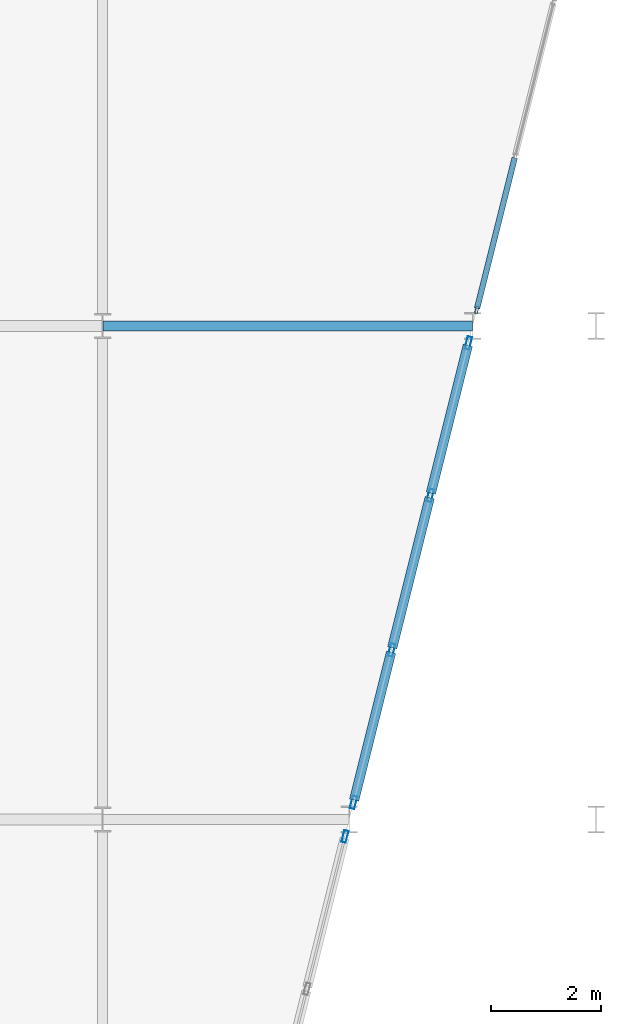
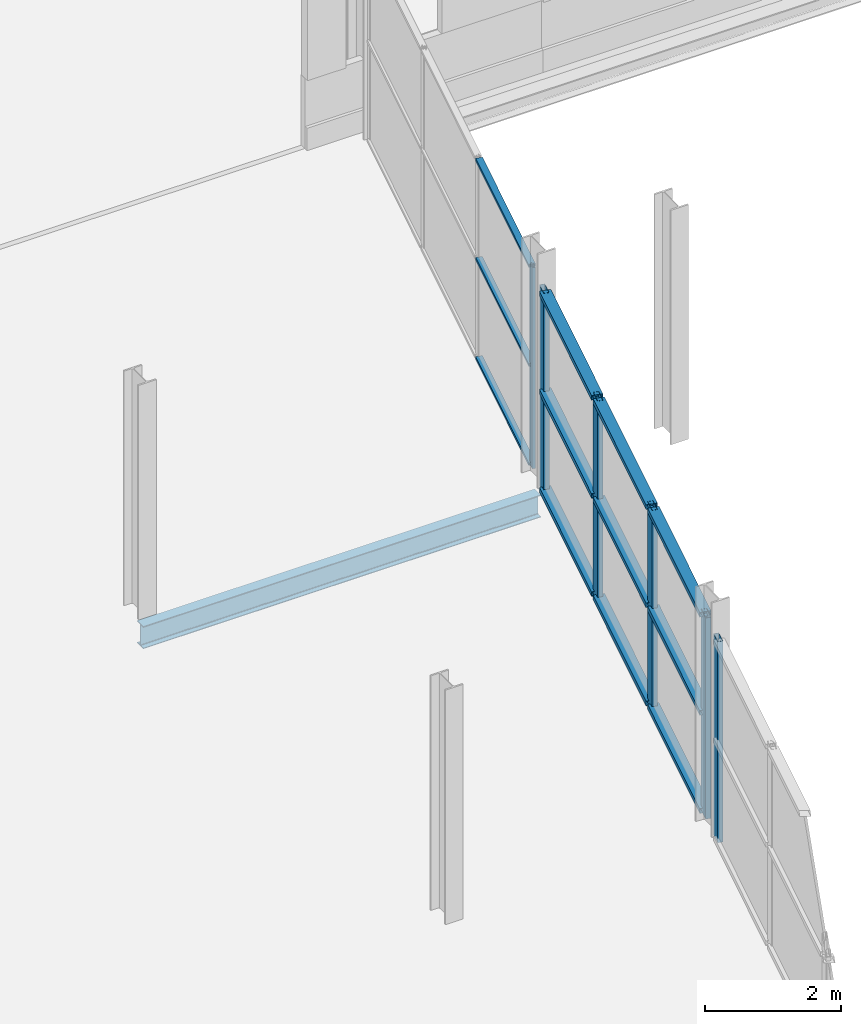
# One storey, part 69 of 132: 18 members, 1 beam, 3 elements without a shape of their own.
"""IFC4 building model written with IfcOpenShell, lengths in metres."""

import ifcopenshell
import ifcopenshell.guid

model = None  # the IFC model being written
_history = None  # IfcOwnerHistory: only IFC2X3 demands one
_inside = {}  # id of a spatial element -> (the spatial element, [elements in it])
_under = {}  # id of a project, library or spatial element -> (it, [spatial elements below it])
_declared = {}  # id of a project -> (the project, [libraries it declares])
_typed = {}  # id of a type object -> (the type object, [elements of that type])
_made_of = {}  # id of a material, layer set ... -> (it, [elements and type objects made of it])


def new_model(schema):
    """Start an empty IFC model of exactly this schema.

    Asked for "IFC4X3", IfcOpenShell would pick the latest addendum, in which some entities
    have other attributes; the version numbers below select the first issue.
    IFC2X3 requires an IfcOwnerHistory on every rooted entity: one is made here for all.
    """
    global model, _history
    if schema == "IFC4X3":
        model = ifcopenshell.file(schema_version=(4, 3, 0, 0))
    else:
        model = ifcopenshell.file(schema=schema)
    _inside.clear()
    _under.clear()
    _declared.clear()
    _typed.clear()
    _made_of.clear()
    _history = None
    if model.schema == "IFC2X3":
        org = make("IfcOrganization", Name="unknown")
        user = make(
            "IfcPersonAndOrganization",
            ThePerson=make("IfcPerson", FamilyName="unknown"),
            TheOrganization=org,
        )
        app = make(
            "IfcApplication",
            ApplicationDeveloper=org,
            Version="unknown",
            ApplicationFullName="unknown",
            ApplicationIdentifier="unknown",
        )
        _history = make(
            "IfcOwnerHistory",
            OwningUser=user,
            OwningApplication=app,
            ChangeAction="ADDED",
            CreationDate=0,
        )
    return model


def make(cls, **values):
    """One entity of the class cls with the attributes given. An attribute that is None is left unset."""
    return model.create_entity(
        cls, **{name: value for name, value in values.items() if value is not None}
    )


def rooted(cls, **values):
    """An entity with a GlobalId (a new one), such as an element, a storey or a relation."""
    return make(cls, GlobalId=ifcopenshell.guid.new(), OwnerHistory=_history, **values)


def si_unit(unit_type, name, prefix=None):
    """IfcSIUnit, for example si_unit("LENGTHUNIT", "METRE", prefix="MILLI")."""
    return make("IfcSIUnit", UnitType=unit_type, Prefix=prefix, Name=name)


def assignment(units):
    """IfcUnitAssignment: the units of a project."""
    return None if units is None else make("IfcUnitAssignment", Units=units)


def point(xyz):
    """IfcCartesianPoint."""
    return None if xyz is None else make("IfcCartesianPoint", Coordinates=xyz)


def direction(xyz):
    """IfcDirection."""
    return None if xyz is None else make("IfcDirection", DirectionRatios=xyz)


def frame(location, z_axis=None, x_axis=None):
    """IfcAxis2Placement3D, a coordinate frame: its origin and axes. An axis left out is left unset."""
    return make(
        "IfcAxis2Placement3D",
        Location=point(location),
        Axis=direction(z_axis),
        RefDirection=direction(x_axis),
    )


def frame_2d(location, x_axis=None):
    """IfcAxis2Placement2D, a coordinate frame in the plane: its origin and x axis."""
    return make(
        "IfcAxis2Placement2D", Location=point(location), RefDirection=direction(x_axis)
    )


def origin():
    """The frame at (0, 0, 0) with its axes left unset."""
    return frame((0.0, 0.0, 0.0))


def origin_2d():
    """The frame at (0, 0) in the plane with its x axis left unset."""
    return frame_2d((0.0, 0.0))


def place(relative_to, where):
    """IfcLocalPlacement: puts the frame where relative to a parent placement (None: the world)."""
    return make(
        "IfcLocalPlacement", PlacementRelTo=relative_to, RelativePlacement=where
    )


def context(
    kind, dimensions, precision=None, world=None, true_north=None, identifier=None
):
    """IfcGeometricRepresentationContext, for example the 3D "Model" context."""
    return make(
        "IfcGeometricRepresentationContext",
        ContextIdentifier=identifier,
        ContextType=kind,
        CoordinateSpaceDimension=dimensions,
        Precision=precision,
        WorldCoordinateSystem=world,
        TrueNorth=true_north,
    )


def subcontext(parent, identifier, kind, view, scale=None):
    """IfcGeometricRepresentationSubContext, for example "Body" below "Model"."""
    return make(
        "IfcGeometricRepresentationSubContext",
        ContextIdentifier=identifier,
        ContextType=kind,
        ParentContext=parent,
        TargetScale=scale,
        TargetView=view,
    )


def project(units=None, contexts=None):
    """IfcProject with its units and contexts."""
    return rooted(
        "IfcProject",
        Name="project",
        RepresentationContexts=contexts,
        UnitsInContext=assignment(units),
    )


def spatial(cls, under=None, at=None, **own):
    """A site, building, storey or space (cls), placed at a placement, below another one or the project."""
    s = rooted(cls, ObjectPlacement=at, **own)
    if under is not None:
        _under.setdefault(under.id(), (under, []))[1].append(s)
    return s


def profile(cls, at=None, kind="AREA", **sizes):
    """A parametric profile (cls). Its sizes go by their IFC names, for example OverallWidth=200.0."""
    return make(cls, ProfileType=kind, Position=at, **sizes)


def hollow_rectangle(**sizes):
    """IfcRectangleHollowProfileDef."""
    return profile("IfcRectangleHollowProfileDef", **sizes)


def i_section(**sizes):
    """IfcIShapeProfileDef."""
    return profile("IfcIShapeProfileDef", **sizes)


def extrude(swept, where, along, depth):
    """IfcExtrudedAreaSolid: the profile swept, set in the frame where, extruded along a direction by depth."""
    return make(
        "IfcExtrudedAreaSolid",
        SweptArea=swept,
        Position=where,
        ExtrudedDirection=direction(along),
        Depth=depth,
    )


def shape(context_of_items, identifier, shape_type, items):
    """IfcShapeRepresentation: the items that make up one representation, for example the "Body"."""
    return make(
        "IfcShapeRepresentation",
        ContextOfItems=context_of_items,
        RepresentationIdentifier=identifier,
        RepresentationType=shape_type,
        Items=items,
    )


def material(Name=None, Category=None):
    """IfcMaterial."""
    return make("IfcMaterial", Name=Name, Category=Category)


def layer(
    of_material, thickness, ventilated=None, Name=None, Category=None, Priority=None
):
    """IfcMaterialLayer: one layer of a wall or slab, of a material (None: an air gap)."""
    return make(
        "IfcMaterialLayer",
        Material=of_material,
        LayerThickness=thickness,
        IsVentilated=ventilated,
        Name=Name,
        Category=Category,
        Priority=Priority,
    )


def layer_set(layers, Name=None):
    """IfcMaterialLayerSet."""
    return make("IfcMaterialLayerSet", MaterialLayers=layers, LayerSetName=Name)


def material_profile(
    of_material, cross_section, Name=None, Category=None, Priority=None
):
    """IfcMaterialProfile: a cross section and its material."""
    return make(
        "IfcMaterialProfile",
        Name=Name,
        Material=of_material,
        Profile=cross_section,
        Priority=Priority,
        Category=Category,
    )


def profile_set(profiles, Name=None, composite=None):
    """IfcMaterialProfileSet."""
    return make(
        "IfcMaterialProfileSet",
        Name=Name,
        MaterialProfiles=profiles,
        CompositeProfile=composite,
    )


def made_of(thing, what):
    """Note that an element or type object is made of a material, layer set ...; save() writes the relation."""
    if what is not None:
        _made_of.setdefault(what.id(), (what, []))[1].append(thing)
    return thing


def type_object(cls, material=None, **own):
    """A type object (cls), such as IfcWallType, which elements share."""
    return made_of(rooted(cls, **own), material)


def element(
    cls,
    number,
    at=None,
    inside=None,
    cuts=None,
    type_object=None,
    material=None,
    context=None,
    identifier="Body",
    shape_type=None,
    held_by="IfcProductDefinitionShape",
    body=None,
    shapes=None,
    **own,
):
    """One element of the class cls, such as IfcWall. Its Tag is "e" and its number.

    at: its placement. inside: the storey or other place that contains it. cuts: it is an
    opening in that element (IfcRelVoidsElement). A single representation is given by context,
    identifier, shape_type and body (its items); several are given by shapes. held_by: the class
    of the entity that holds the representations. save() writes the other relations.
    """
    e = rooted(cls, Tag="e%d" % number, ObjectPlacement=at, **own)
    if body is not None:
        shapes = [shape(context, identifier, shape_type, body)]
    if shapes is not None:
        e.Representation = make(held_by, Representations=shapes)
    if inside is not None:
        _inside.setdefault(inside.id(), (inside, []))[1].append(e)
    if cuts is not None:
        rooted(
            "IfcRelVoidsElement", RelatingBuildingElement=cuts, RelatedOpeningElement=e
        )
    if type_object is not None:
        _typed.setdefault(type_object.id(), (type_object, []))[1].append(e)
    return made_of(e, material)


def aggregate(whole, parts):
    """IfcRelAggregates: a whole, such as a stair, and the parts it consists of."""
    return rooted("IfcRelAggregates", RelatingObject=whole, RelatedObjects=parts)


def save(model, path):
    """Write the relations noted so far, then the file.

    IfcRelAggregates (storeys below a building ...), IfcRelContainedInSpatialStructure (elements
    in a storey), IfcRelDefinesByType, IfcRelAssociatesMaterial and IfcRelDeclares: one each for
    every whole, place, type object, material and project.
    """
    for whole, parts in _under.values():
        aggregate(whole, parts)
    for where, things in _inside.values():
        rooted(
            "IfcRelContainedInSpatialStructure",
            RelatedElements=things,
            RelatingStructure=where,
        )
    for kind, things in _typed.values():
        rooted("IfcRelDefinesByType", RelatedObjects=things, RelatingType=kind)
    for what, things in _made_of.values():
        rooted("IfcRelAssociatesMaterial", RelatedObjects=things, RelatingMaterial=what)
    for by, libraries in _declared.values():
        rooted("IfcRelDeclares", RelatingContext=by, RelatedDefinitions=libraries)
    model.write(path)


model = new_model("IFC4")

# Units and contexts
model_context = context("Model", 3, precision=1e-05, world=origin(), true_north=direction((0.0, 1.0)))
body_context = subcontext(model_context, "Body", "Model", "MODEL_VIEW")
ifc_project = project(units=[si_unit("LENGTHUNIT", "METRE"), si_unit("AREAUNIT", "SQUARE_METRE"), si_unit("VOLUMEUNIT", "CUBIC_METRE"), si_unit("PLANEANGLEUNIT", "RADIAN"), si_unit("MASSUNIT", "GRAM", prefix="KILO")], contexts=[model_context])

# Site, building, storey
site_placement = place(None, origin())
site = spatial("IfcSite", under=ifc_project, at=site_placement, CompositionType="ELEMENT")
building_placement = place(site_placement, origin())
building = spatial("IfcBuilding", under=site, at=building_placement, Name="Deido Ridge Mobility Hub", CompositionType="ELEMENT")
storey_placement = place(building_placement, frame((0.0, 0.0, 8.39990234375)))
storey = spatial("IfcBuildingStorey", under=building, at=storey_placement, Name="L02", CompositionType="ELEMENT", Elevation=8.39990234375)

# Beam
ifc_material_1 = material(Name="Steel S355J2 EN 10025-2", Category="steel")
ifc_material_profile_1 = material_profile(ifc_material_1, i_section(OverallWidth=0.179931640625, OverallDepth=0.39990234375, WebThickness=0.008544921875, FlangeThickness=0.013427734375, FilletRadius=0.02099609375, at=origin_2d()), Name="IPE 400")
ifc_profile_set_1 = profile_set([ifc_material_profile_1], Name="Steel S355J2 EN 10025-2")
beam_type = type_object("IfcBeamType", Name="BM-IPE400", PredefinedType="BEAM", material=ifc_profile_set_1)
beam_placement = place(storey_placement, frame((45.007080078125, 72.0, -0.454833984375), z_axis=(1.0, 0.0, 0.0), x_axis=(0.0, 1.0, 0.0)))
element("IfcBeam", 1, at=beam_placement, inside=storey, type_object=beam_type, Name="Floor beam B5", PredefinedType="BEAM", context=body_context, shape_type="SweptSolid", body=[
    extrude(i_section(OverallWidth=0.179931640625, OverallDepth=0.39990234375, WebThickness=0.008544921875, FlangeThickness=0.013427734375, FilletRadius=0.02099609375, at=origin_2d()), origin(), (0.0, 0.0, 1.0), 6.73583984375),
])

# Curtain wall, member
ifc_material_2 = material(Name="Anodised aluminium EN AW-6063 T6", Category="aluminium")
ifc_layer_1 = layer(ifc_material_2, 0.27001953125, Name="Anodised aluminium EN AW-6063 T6")
ifc_layer_set_1 = layer_set([ifc_layer_1], Name="Anodised aluminium EN AW-6063 T6")
curtain_wall_type_1 = type_object("IfcCurtainWallType", Name="CW-UF-8", PredefinedType="USERDEFINED", material=ifc_layer_set_1)
curtain_wall_1_placement = place(storey_placement, origin())
curtain_wall_1 = element("IfcCurtainWall", 2, at=curtain_wall_1_placement, inside=storey, type_object=curtain_wall_type_1, Name="Unitised curtain wall CW8", ObjectType="UNITISED FACADE", PredefinedType="USERDEFINED")
ifc_material_profile_2 = material_profile(ifc_material_2, hollow_rectangle(XDim=0.050048828125, YDim=0.1298828125, WallThickness=0.00390625, at=origin_2d()), Name="RHS 50x130x4")
ifc_profile_set_2 = profile_set([ifc_material_profile_2], Name="Anodised aluminium EN AW-6063 T6")
member_type_1 = type_object("IfcMemberType", Name="MEM-MUL-50X130", PredefinedType="MULLION", material=ifc_profile_set_2)
member_1_placement = place(storey_placement, frame((51.82373046875, 72.294921875, 0.0), z_axis=(0.0, 0.0, 1.0), x_axis=(-0.970139801497, 0.242546419373, 0.0)))
member_1 = element("IfcMember", 3, at=member_1_placement, type_object=member_type_1, Name="CW8 mullion 1", PredefinedType="MULLION", context=body_context, shape_type="SweptSolid", body=[
    extrude(hollow_rectangle(XDim=0.050048828125, YDim=0.1298828125, WallThickness=0.00390625, at=origin_2d()), origin(), (0.0, 0.0, 1.0), 3.60009765625),
])

ifc_layer_2 = layer(ifc_material_2, 0.239990234375, Name="Anodised aluminium EN AW-6063 T6")
ifc_layer_set_2 = layer_set([ifc_layer_2], Name="Anodised aluminium EN AW-6063 T6")
curtain_wall_type_2 = type_object("IfcCurtainWallType", Name="CW-UF-6", PredefinedType="USERDEFINED", material=ifc_layer_set_2)
curtain_wall_2_placement = place(storey_placement, origin())
curtain_wall_2 = element("IfcCurtainWall", 4, at=curtain_wall_2_placement, inside=storey, type_object=curtain_wall_type_2, Name="Unitised curtain wall CW6", ObjectType="UNITISED FACADE", PredefinedType="USERDEFINED")
ifc_material_profile_3 = material_profile(ifc_material_2, hollow_rectangle(XDim=0.080078125, YDim=0.219970703125, WallThickness=0.00390625, at=origin_2d()), Name="RHS 80x220x4")
ifc_profile_set_3 = profile_set([ifc_material_profile_3], Name="Anodised aluminium EN AW-6063 T6")
member_type_2 = type_object("IfcMemberType", Name="MEM-MUL-80X220", PredefinedType="MULLION", material=ifc_profile_set_3)
member_2_placement = place(storey_placement, frame((49.422607421875, 62.690673828125, 0.0), z_axis=(0.0, 0.0, 1.0), x_axis=(-0.970139801497, 0.242546419373, 0.0)))
member_2 = element("IfcMember", 5, at=member_2_placement, type_object=member_type_2, Name="CW6 mullion 4", PredefinedType="MULLION", context=body_context, shape_type="SweptSolid", body=[
    extrude(hollow_rectangle(XDim=0.080078125, YDim=0.219970703125, WallThickness=0.00390625, at=origin_2d()), origin(), (0.0, 0.0, 1.0), 3.60009765625),
])
aggregate(curtain_wall_2, [member_2])

# Curtain wall, members
ifc_layer_3 = layer(ifc_material_2, 0.2548828125, Name="Anodised aluminium EN AW-6063 T6")
ifc_layer_set_3 = layer_set([ifc_layer_3], Name="Anodised aluminium EN AW-6063 T6")
curtain_wall_type_3 = type_object("IfcCurtainWallType", Name="CW-UF-7", PredefinedType="USERDEFINED", material=ifc_layer_set_3)
curtain_wall_3_placement = place(storey_placement, origin())
curtain_wall_3 = element("IfcCurtainWall", 6, at=curtain_wall_3_placement, inside=storey, type_object=curtain_wall_type_3, Name="Unitised curtain wall CW7", ObjectType="UNITISED FACADE", PredefinedType="USERDEFINED")
ifc_material_profile_4 = material_profile(ifc_material_2, hollow_rectangle(XDim=0.0849609375, YDim=0.235107421875, WallThickness=0.00390625, at=origin_2d()), Name="RHS 85x235x4")
ifc_profile_set_4 = profile_set([ifc_material_profile_4], Name="Anodised aluminium EN AW-6063 T6")
member_type_3 = type_object("IfcMemberType", Name="MEM-MUL-85X235", PredefinedType="MULLION", material=ifc_profile_set_4)
member_3_placement = place(storey_placement, frame((49.577880859375, 63.311767578125, 0.0), z_axis=(0.0, 0.0, 1.0), x_axis=(-0.970139801497, 0.242546419373, 0.0)))
member_3 = element("IfcMember", 7, at=member_3_placement, type_object=member_type_3, Name="CW7 mullion 1", PredefinedType="MULLION", context=body_context, shape_type="SweptSolid", body=[
    extrude(hollow_rectangle(XDim=0.0849609375, YDim=0.235107421875, WallThickness=0.00390625, at=origin_2d()), origin(), (0.0, 0.0, 1.0), 3.60009765625),
])
member_4_placement = place(storey_placement, frame((50.2724609375, 66.090087890625, 0.0), z_axis=(0.0, 0.0, 1.0), x_axis=(-0.970139801497, 0.242546419373, 0.0)))
member_4 = element("IfcMember", 8, at=member_4_placement, type_object=member_type_3, Name="CW7 mullion 2", PredefinedType="MULLION", context=body_context, shape_type="SweptSolid", body=[
    extrude(hollow_rectangle(XDim=0.0849609375, YDim=0.235107421875, WallThickness=0.00390625, at=origin_2d()), origin(), (0.0, 0.0, 1.0), 3.60009765625),
])
member_5_placement = place(storey_placement, frame((50.9775390625, 68.909912109375, 0.0), z_axis=(0.0, 0.0, 1.0), x_axis=(-0.970139801497, 0.242546419373, 0.0)))
member_5 = element("IfcMember", 9, at=member_5_placement, type_object=member_type_3, Name="CW7 mullion 3", PredefinedType="MULLION", context=body_context, shape_type="SweptSolid", body=[
    extrude(hollow_rectangle(XDim=0.0849609375, YDim=0.235107421875, WallThickness=0.00390625, at=origin_2d()), origin(), (0.0, 0.0, 1.0), 3.60009765625),
])
member_6_placement = place(storey_placement, frame((51.672119140625, 71.688232421875, 0.0), z_axis=(0.0, 0.0, 1.0), x_axis=(-0.970139801497, 0.242546419373, 0.0)))
member_6 = element("IfcMember", 10, at=member_6_placement, type_object=member_type_3, Name="CW7 mullion 4", PredefinedType="MULLION", context=body_context, shape_type="SweptSolid", body=[
    extrude(hollow_rectangle(XDim=0.0849609375, YDim=0.235107421875, WallThickness=0.00390625, at=origin_2d()), origin(), (0.0, 0.0, 1.0), 3.60009765625),
])

# Member
ifc_material_profile_5 = material_profile(ifc_material_2, hollow_rectangle(XDim=0.10498046875, YDim=0.050048828125, WallThickness=0.00390625, at=origin_2d()), Name="RHS 105x50x4")
ifc_profile_set_5 = profile_set([ifc_material_profile_5], Name="Anodised aluminium EN AW-6063 T6")
member_type_4 = type_object("IfcMemberType", Name="MEM-TRN-105X50", PredefinedType="USERDEFINED", material=ifc_profile_set_5)
member_7_placement = place(storey_placement, frame((51.829833984375, 72.319091796875, 0.025146484375), z_axis=(0.242474757328, 0.970157715044, 0.0), x_axis=(-0.970157715044, 0.242474757328, 0.0)))
member_7 = element("IfcMember", 11, at=member_7_placement, type_object=member_type_4, Name="CW8 transom 1.1", ObjectType="TRANSOM", PredefinedType="USERDEFINED", context=body_context, shape_type="SweptSolid", body=[
    extrude(hollow_rectangle(XDim=0.10498046875, YDim=0.050048828125, WallThickness=0.00390625, at=origin_2d()), origin(), (0.0, 0.0, 1.0), 2.831298828125),
])

member_8_placement = place(storey_placement, frame((51.829833984375, 72.319091796875, 1.800048828125), z_axis=(0.242474757328, 0.970157715044, 0.0), x_axis=(-0.970157715044, 0.242474757328, 0.0)))
member_8 = element("IfcMember", 12, at=member_8_placement, type_object=member_type_4, Name="CW8 transom 1.2", ObjectType="TRANSOM", PredefinedType="USERDEFINED", context=body_context, shape_type="SweptSolid", body=[
    extrude(hollow_rectangle(XDim=0.10498046875, YDim=0.050048828125, WallThickness=0.00390625, at=origin_2d()), origin(), (0.0, 0.0, 1.0), 2.831298828125),
])

member_9_placement = place(storey_placement, frame((51.829833984375, 72.319091796875, 3.5751953125), z_axis=(0.242474757328, 0.970157715044, 0.0), x_axis=(-0.970157715044, 0.242474757328, 0.0)))
member_9 = element("IfcMember", 13, at=member_9_placement, type_object=member_type_4, Name="CW8 transom 1.3", ObjectType="TRANSOM", PredefinedType="USERDEFINED", context=body_context, shape_type="SweptSolid", body=[
    extrude(hollow_rectangle(XDim=0.10498046875, YDim=0.050048828125, WallThickness=0.00390625, at=origin_2d()), origin(), (0.0, 0.0, 1.0), 2.831298828125),
])

aggregate(curtain_wall_1, [member_1, member_7, member_8, member_9])

ifc_material_profile_6 = material_profile(ifc_material_2, hollow_rectangle(XDim=0.175048828125, YDim=0.0849609375, WallThickness=0.00390625, at=origin_2d()), Name="RHS 175x85x4")
ifc_profile_set_6 = profile_set([ifc_material_profile_6], Name="Anodised aluminium EN AW-6063 T6")
member_type_5 = type_object("IfcMemberType", Name="MEM-TRN-175X85", PredefinedType="USERDEFINED", material=ifc_profile_set_6)
member_10_placement = place(storey_placement, frame((49.588134765625, 63.35302734375, 0.04248046875), z_axis=(0.242556295778, 0.970137332226, 0.0), x_axis=(-0.970137332226, 0.242556295778, 0.0)))
member_10 = element("IfcMember", 14, at=member_10_placement, type_object=member_type_5, Name="CW7 transom 1.1", ObjectType="TRANSOM", PredefinedType="USERDEFINED", context=body_context, shape_type="SweptSolid", body=[
    extrude(hollow_rectangle(XDim=0.175048828125, YDim=0.0849609375, WallThickness=0.00390625, at=origin_2d()), origin(), (0.0, 0.0, 1.0), 2.779052734375),
])

member_11_placement = place(storey_placement, frame((49.588134765625, 63.35302734375, 1.800048828125), z_axis=(0.242556295778, 0.970137332226, 0.0), x_axis=(-0.970137332226, 0.242556295778, 0.0)))
member_11 = element("IfcMember", 15, at=member_11_placement, type_object=member_type_5, Name="CW7 transom 1.2", ObjectType="TRANSOM", PredefinedType="USERDEFINED", context=body_context, shape_type="SweptSolid", body=[
    extrude(hollow_rectangle(XDim=0.175048828125, YDim=0.0849609375, WallThickness=0.00390625, at=origin_2d()), origin(), (0.0, 0.0, 1.0), 2.779052734375),
])

member_12_placement = place(storey_placement, frame((49.588134765625, 63.35302734375, 3.5576171875), z_axis=(0.242556295778, 0.970137332226, 0.0), x_axis=(-0.970137332226, 0.242556295778, 0.0)))
member_12 = element("IfcMember", 16, at=member_12_placement, type_object=member_type_5, Name="CW7 transom 1.3", ObjectType="TRANSOM", PredefinedType="USERDEFINED", context=body_context, shape_type="SweptSolid", body=[
    extrude(hollow_rectangle(XDim=0.175048828125, YDim=0.0849609375, WallThickness=0.00390625, at=origin_2d()), origin(), (0.0, 0.0, 1.0), 2.779052734375),
])

member_13_placement = place(storey_placement, frame((50.282958984375, 66.13134765625, 0.04248046875), z_axis=(0.242454185147, 0.970162856486, 0.0), x_axis=(-0.970162856486, 0.242454185147, 0.0)))
member_13 = element("IfcMember", 17, at=member_13_placement, type_object=member_type_5, Name="CW7 transom 2.1", ObjectType="TRANSOM", PredefinedType="USERDEFINED", context=body_context, shape_type="SweptSolid", body=[
    extrude(hollow_rectangle(XDim=0.175048828125, YDim=0.0849609375, WallThickness=0.00390625, at=origin_2d()), origin(), (0.0, 0.0, 1.0), 2.821533203125),
])

member_14_placement = place(storey_placement, frame((50.282958984375, 66.13134765625, 1.800048828125), z_axis=(0.242454185147, 0.970162856486, 0.0), x_axis=(-0.970162856486, 0.242454185147, 0.0)))
member_14 = element("IfcMember", 18, at=member_14_placement, type_object=member_type_5, Name="CW7 transom 2.2", ObjectType="TRANSOM", PredefinedType="USERDEFINED", context=body_context, shape_type="SweptSolid", body=[
    extrude(hollow_rectangle(XDim=0.175048828125, YDim=0.0849609375, WallThickness=0.00390625, at=origin_2d()), origin(), (0.0, 0.0, 1.0), 2.821533203125),
])

member_15_placement = place(storey_placement, frame((50.282958984375, 66.13134765625, 3.5576171875), z_axis=(0.242454185147, 0.970162856486, 0.0), x_axis=(-0.970162856486, 0.242454185147, 0.0)))
member_15 = element("IfcMember", 19, at=member_15_placement, type_object=member_type_5, Name="CW7 transom 2.3", ObjectType="TRANSOM", PredefinedType="USERDEFINED", context=body_context, shape_type="SweptSolid", body=[
    extrude(hollow_rectangle(XDim=0.175048828125, YDim=0.0849609375, WallThickness=0.00390625, at=origin_2d()), origin(), (0.0, 0.0, 1.0), 2.821533203125),
])

member_16_placement = place(storey_placement, frame((50.98779296875, 68.950927734375, 0.04248046875), z_axis=(0.242556295778, 0.970137332226, 0.0), x_axis=(-0.970137332226, 0.242556295778, 0.0)))
member_16 = element("IfcMember", 20, at=member_16_placement, type_object=member_type_5, Name="CW7 transom 3.1", ObjectType="TRANSOM", PredefinedType="USERDEFINED", context=body_context, shape_type="SweptSolid", body=[
    extrude(hollow_rectangle(XDim=0.175048828125, YDim=0.0849609375, WallThickness=0.00390625, at=origin_2d()), origin(), (0.0, 0.0, 1.0), 2.779052734375),
])

member_17_placement = place(storey_placement, frame((50.98779296875, 68.950927734375, 1.800048828125), z_axis=(0.242556295778, 0.970137332226, 0.0), x_axis=(-0.970137332226, 0.242556295778, 0.0)))
member_17 = element("IfcMember", 21, at=member_17_placement, type_object=member_type_5, Name="CW7 transom 3.2", ObjectType="TRANSOM", PredefinedType="USERDEFINED", context=body_context, shape_type="SweptSolid", body=[
    extrude(hollow_rectangle(XDim=0.175048828125, YDim=0.0849609375, WallThickness=0.00390625, at=origin_2d()), origin(), (0.0, 0.0, 1.0), 2.779052734375),
])

member_18_placement = place(storey_placement, frame((50.98779296875, 68.950927734375, 3.5576171875), z_axis=(0.242556295778, 0.970137332226, 0.0), x_axis=(-0.970137332226, 0.242556295778, 0.0)))
member_18 = element("IfcMember", 22, at=member_18_placement, type_object=member_type_5, Name="CW7 transom 3.3", ObjectType="TRANSOM", PredefinedType="USERDEFINED", context=body_context, shape_type="SweptSolid", body=[
    extrude(hollow_rectangle(XDim=0.175048828125, YDim=0.0849609375, WallThickness=0.00390625, at=origin_2d()), origin(), (0.0, 0.0, 1.0), 2.779052734375),
])

aggregate(curtain_wall_3, [member_3, member_4, member_5, member_6, member_10, member_11, member_12, member_13, member_14, member_15, member_16, member_17, member_18])

save(model, "model.ifc")
